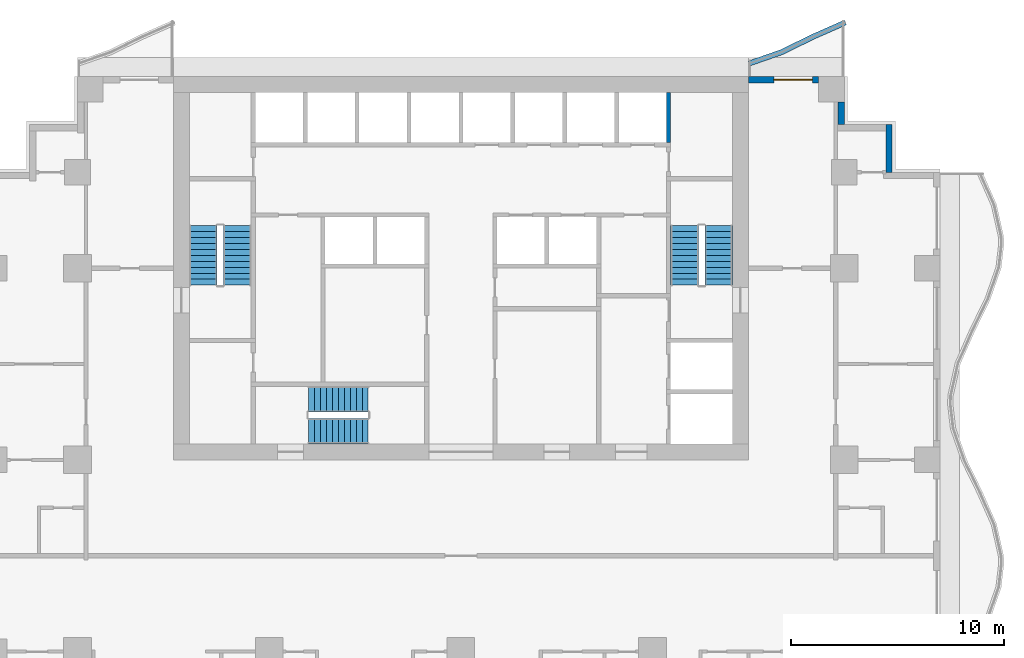
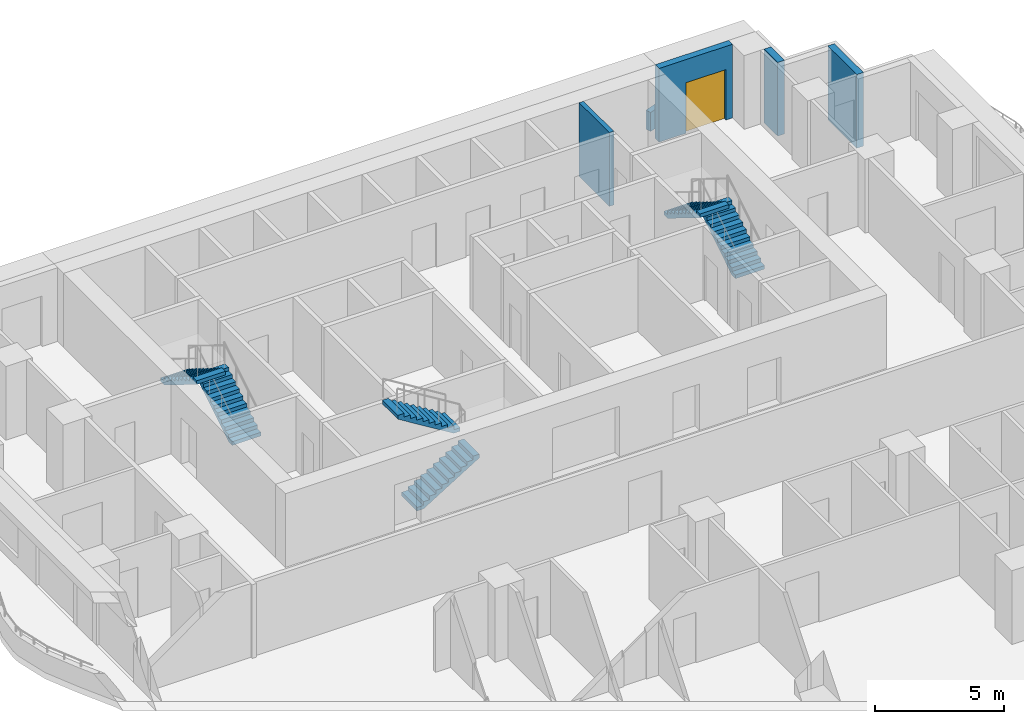
# One storey, part 6 of 10: 6 stair flights, 5 walls, 1 door, 1 opening, 3 elements without a shape of their own.
"""IFC4 building model written with IfcOpenShell, lengths in metres."""

from ifc_helpers import new_model, si_unit, direction, frame, frame_2d, origin, place, context, subcontext, project, spatial, polyline, rectangle, outline, extrude, material, layer, layer_set, type_object, element, fill, aggregate, save


model = new_model("IFC4")

# Units and contexts
model_context = context("Model", 3, precision=1e-05, world=origin(), true_north=direction((0.0, 1.0)))
body_context = subcontext(model_context, "Body", "Model", "MODEL_VIEW")
ifc_project = project(units=[si_unit("LENGTHUNIT", "METRE"), si_unit("AREAUNIT", "SQUARE_METRE"), si_unit("VOLUMEUNIT", "CUBIC_METRE"), si_unit("PLANEANGLEUNIT", "RADIAN"), si_unit("MASSUNIT", "GRAM", prefix="KILO")], contexts=[model_context])

# Site, building, storey
site_placement = place(None, origin())
site = spatial("IfcSite", under=ifc_project, at=site_placement, CompositionType="ELEMENT")
building_placement = place(site_placement, origin())
building = spatial("IfcBuilding", under=site, at=building_placement, Name="Orbiselva Terraces", CompositionType="ELEMENT")
storey_placement = place(building_placement, frame((0.0, 0.0, 125.0)))
storey = spatial("IfcBuildingStorey", under=building, at=storey_placement, Name="L31", CompositionType="ELEMENT", Elevation=125.0)

# Walls
ifc_material_1 = material(Name="Concrete C40/50", Category="concrete")
ifc_layer_1 = layer(ifc_material_1, 0.2)
ifc_layer_set_1 = layer_set([ifc_layer_1], Name="Concrete C40/50")
wall_type_1 = type_object("IfcWallType", Name="CORE-WALL-SHAFT-200", PredefinedType="PARTITIONING", material=ifc_layer_set_1)
wall_1_placement = place(storey_placement, frame((9.75, 19.4, 0.0), z_axis=(0.0, 0.0, 1.0), x_axis=(0.0, 1.0, 0.0)))
element("IfcWall", 1, at=wall_1_placement, inside=storey, type_object=wall_type_1, Name="L31 core wall 47", PredefinedType="PARTITIONING", context=body_context, shape_type="SweptSolid", body=[
    extrude(rectangle(XDim=2.35, YDim=0.2, at=frame_2d((1.175, 0.0))), origin(), (0.0, 0.0, 1.0), 3.5),
])
ifc_layer_2 = layer(ifc_material_1, 0.25)
ifc_layer_set_2 = layer_set([ifc_layer_2], Name="Concrete C40/50")
wall_type_2 = type_object("IfcWallType", Name="ENV-PLANTER-250x900", PredefinedType="USERDEFINED", material=ifc_layer_set_2)
wall_2_placement = place(storey_placement, origin())
element("IfcWall", 2, at=wall_2_placement, inside=storey, type_object=wall_type_2, Name="Balcony planter L31 NE", ObjectType="PLANTER", PredefinedType="USERDEFINED", context=body_context, shape_type="SweptSolid", body=[
    extrude(outline(polyline([(18.0, 25.148528), (16.5, 24.487721), (15.0, 23.755211), (13.5, 23.230792), (13.582506, 22.994799), (15.09644, 23.524089), (16.605286, 24.260919), (18.100788, 24.919745), (18.0, 25.148528)])), origin(), (0.0, 0.0, 1.0), 0.9),
])
ifc_material_2 = material(Name="Terracotta cladding on masonry backing", Category="masonry")
ifc_layer_3 = layer(ifc_material_2, 0.3)
ifc_layer_set_3 = layer_set([ifc_layer_3], Name="Terracotta cladding on masonry backing")
wall_type_3 = type_object("IfcWallType", Name="ENV-WALL-TERRACOTTA-300", PredefinedType="SOLIDWALL", material=ifc_layer_set_3)
wall_3_placement = place(storey_placement, frame((20.1, 20.25, 0.0), z_axis=(0.0, 0.0, 1.0), x_axis=(0.0, -1.0, 0.0)))
element("IfcWall", 3, at=wall_3_placement, inside=storey, type_object=wall_type_3, Name="Facade wall L31 STEP", PredefinedType="SOLIDWALL", context=body_context, shape_type="SweptSolid", body=[
    extrude(rectangle(XDim=2.25, YDim=0.3, at=frame_2d((1.125, 0.0))), origin(), (0.0, 0.0, 1.0), 3.5),
])
wall_4_placement = place(storey_placement, frame((17.85, 21.3, 0.0), z_axis=(0.0, 0.0, 1.0), x_axis=(0.0, -1.0, 0.0)))
element("IfcWall", 4, at=wall_4_placement, inside=storey, type_object=wall_type_3, Name="Facade wall L31 STEP", PredefinedType="SOLIDWALL", context=body_context, shape_type="SweptSolid", body=[
    extrude(rectangle(XDim=1.05, YDim=0.3, at=frame_2d((0.525, 0.0))), origin(), (0.0, 0.0, 1.0), 3.5),
])

# Wall, opening, door
wall_5_placement = place(storey_placement, frame((13.5, 22.35, 0.0), z_axis=(0.0, 0.0, 1.0), x_axis=(1.0, 0.0, 0.0)))
wall_5 = element("IfcWall", 5, at=wall_5_placement, inside=storey, type_object=wall_type_3, Name="Facade wall L31 NE", PredefinedType="SOLIDWALL", context=body_context, shape_type="SweptSolid", body=[
    extrude(rectangle(XDim=3.3, YDim=0.3, at=frame_2d((1.65, 0.0))), origin(), (0.0, 0.0, 1.0), 3.5),
])
opening_placement = place(wall_5_placement, frame((1.2, 0.0, 0.0)))
opening = element("IfcOpeningElement", 6, at=opening_placement, cuts=wall_5, Name="Opening Z3-A-E07", PredefinedType="OPENING", context=body_context, shape_type="SweptSolid", body=[
    extrude(rectangle(XDim=1.8, YDim=2.4, at=frame_2d((0.9, 1.2))), frame((0.0, 0.16, 0.0), z_axis=(0.0, -1.0, 0.0), x_axis=(1.0, 0.0, 0.0)), (0.0, 0.0, 1.0), 0.32),
])
ifc_material_3 = material(Name="Clear low-e glazing in aluminium frame", Category="aluminium")
door_type = type_object("IfcDoorType", Name="BALCONY DOOR 1800 X 2400", OperationType="DOUBLE_DOOR_SLIDING", PredefinedType="DOOR", material=ifc_material_3)
door_placement = place(opening_placement, origin())
door = element("IfcDoor", 7, at=door_placement, inside=storey, type_object=door_type, Name="Z3-A-E07", OperationType="SINGLE_SWING_LEFT", OverallHeight=2.4, OverallWidth=1.8, PredefinedType="DOOR", context=body_context, shape_type="SweptSolid", body=[
    extrude(rectangle(XDim=1.8, YDim=2.4, at=frame_2d((0.9, 1.2))), frame((0.0, 0.025, 0.0), z_axis=(0.0, -1.0, 0.0), x_axis=(1.0, 0.0, 0.0)), (0.0, 0.0, 1.0), 0.05),
])
fill(opening, door)

# Stair, stair flights
stair_type_1 = type_object("IfcStairType", Name="CORE-STAIR-1200", PredefinedType="HALF_TURN_STAIR", material=ifc_material_1)
stair_1_placement = place(storey_placement, origin())
stair_1 = element("IfcStair", 8, at=stair_1_placement, inside=storey, type_object=stair_type_1, Name="L31 Exit Stair S3", PredefinedType="HALF_TURN_STAIR")
stair_flight_type_1 = type_object("IfcStairFlightType", Name="CORE-STAIR-FLIGHT-1200", PredefinedType="STRAIGHT", material=ifc_material_1)
stair_flight_1_placement = place(storey_placement, frame((-7.15, 5.85, 0.0), z_axis=(0.0, 0.0, 1.0), x_axis=(1.0, 0.0, 0.0)))
stair_flight_1 = element("IfcStairFlight", 9, at=stair_flight_1_placement, type_object=stair_flight_type_1, Name="S3 flight 1", NumberOfRisers=11, NumberOfTreads=10, PredefinedType="STRAIGHT", RiserHeight=0.172727273, TreadLength=0.28, context=body_context, shape_type="SweptSolid", body=[
    extrude(outline(polyline([(0.0, 0.0), (0.0, 0.172727), (0.28, 0.172727), (0.28, 0.345455), (0.56, 0.345455), (0.56, 0.518182), (0.84, 0.518182), (0.84, 0.690909), (1.12, 0.690909), (1.12, 0.863636), (1.4, 0.863636), (1.4, 1.036364), (1.68, 1.036364), (1.68, 1.209091), (1.96, 1.209091), (1.96, 1.381818), (2.24, 1.381818), (2.24, 1.554545), (2.52, 1.554545), (2.52, 1.727273), (2.8, 1.727273), (2.8, 1.9), (2.8, 1.551028), (0.285702, 0.0), (0.0, 0.0)])), frame((0.0, 0.6, 0.0), z_axis=(0.0, -1.0, 0.0), x_axis=(1.0, 0.0, 0.0)), (0.0, 0.0, 1.0), 1.2),
])
stair_flight_2_placement = place(storey_placement, frame((-4.35, 7.35, 1.9), z_axis=(0.0, 0.0, 1.0), x_axis=(-1.0, 0.0, 0.0)))
stair_flight_2 = element("IfcStairFlight", 10, at=stair_flight_2_placement, type_object=stair_flight_type_1, Name="S3 flight 2", NumberOfRisers=11, NumberOfTreads=10, PredefinedType="STRAIGHT", RiserHeight=0.172727273, TreadLength=0.28, context=body_context, shape_type="SweptSolid", body=[
    extrude(outline(polyline([(0.0, 0.0), (0.0, 0.172727), (0.28, 0.172727), (0.28, 0.345455), (0.56, 0.345455), (0.56, 0.518182), (0.84, 0.518182), (0.84, 0.690909), (1.12, 0.690909), (1.12, 0.863636), (1.4, 0.863636), (1.4, 1.036364), (1.68, 1.036364), (1.68, 1.209091), (1.96, 1.209091), (1.96, 1.381818), (2.24, 1.381818), (2.24, 1.554545), (2.52, 1.554545), (2.52, 1.727273), (2.8, 1.727273), (2.8, 1.9), (2.8, 1.551028), (0.285702, 0.0), (0.0, 0.0)])), frame((0.0, 0.6, 0.0), z_axis=(0.0, -1.0, 0.0), x_axis=(1.0, 0.0, 0.0)), (0.0, 0.0, 1.0), 1.2),
])
aggregate(stair_1, [stair_flight_1, stair_flight_2])

stair_type_2 = type_object("IfcStairType", Name="CORE-STAIR-1300", PredefinedType="HALF_TURN_STAIR", material=ifc_material_1)
stair_2_placement = place(storey_placement, origin())
stair_2 = element("IfcStair", 11, at=stair_2_placement, inside=storey, type_object=stair_type_2, Name="L31 Exit Stair S1", PredefinedType="HALF_TURN_STAIR")
stair_flight_type_2 = type_object("IfcStairFlightType", Name="CORE-STAIR-FLIGHT-1300", PredefinedType="STRAIGHT", material=ifc_material_1)
stair_flight_3_placement = place(storey_placement, frame((-10.5, 12.7, 0.0), z_axis=(0.0, 0.0, 1.0), x_axis=(0.0, 1.0, 0.0)))
stair_flight_3 = element("IfcStairFlight", 12, at=stair_flight_3_placement, type_object=stair_flight_type_2, Name="S1 flight 1", NumberOfRisers=11, NumberOfTreads=10, PredefinedType="STRAIGHT", RiserHeight=0.172727273, TreadLength=0.28, context=body_context, shape_type="SweptSolid", body=[
    extrude(outline(polyline([(0.0, 0.0), (0.0, 0.172727), (0.28, 0.172727), (0.28, 0.345455), (0.56, 0.345455), (0.56, 0.518182), (0.84, 0.518182), (0.84, 0.690909), (1.12, 0.690909), (1.12, 0.863636), (1.4, 0.863636), (1.4, 1.036364), (1.68, 1.036364), (1.68, 1.209091), (1.96, 1.209091), (1.96, 1.381818), (2.24, 1.381818), (2.24, 1.554545), (2.52, 1.554545), (2.52, 1.727273), (2.8, 1.727273), (2.8, 1.9), (2.8, 1.551028), (0.285702, 0.0), (0.0, 0.0)])), frame((0.0, 0.65, 0.0), z_axis=(0.0, -1.0, 0.0), x_axis=(1.0, 0.0, 0.0)), (0.0, 0.0, 1.0), 1.3),
])
stair_flight_4_placement = place(storey_placement, frame((-12.1, 15.5, 1.9), z_axis=(0.0, 0.0, 1.0), x_axis=(0.0, -1.0, 0.0)))
stair_flight_4 = element("IfcStairFlight", 13, at=stair_flight_4_placement, type_object=stair_flight_type_2, Name="S1 flight 2", NumberOfRisers=11, NumberOfTreads=10, PredefinedType="STRAIGHT", RiserHeight=0.172727273, TreadLength=0.28, context=body_context, shape_type="SweptSolid", body=[
    extrude(outline(polyline([(0.0, 0.0), (0.0, 0.172727), (0.28, 0.172727), (0.28, 0.345455), (0.56, 0.345455), (0.56, 0.518182), (0.84, 0.518182), (0.84, 0.690909), (1.12, 0.690909), (1.12, 0.863636), (1.4, 0.863636), (1.4, 1.036364), (1.68, 1.036364), (1.68, 1.209091), (1.96, 1.209091), (1.96, 1.381818), (2.24, 1.381818), (2.24, 1.554545), (2.52, 1.554545), (2.52, 1.727273), (2.8, 1.727273), (2.8, 1.9), (2.8, 1.551028), (0.285702, 0.0), (0.0, 0.0)])), frame((0.0, 0.65, 0.0), z_axis=(0.0, -1.0, 0.0), x_axis=(1.0, 0.0, 0.0)), (0.0, 0.0, 1.0), 1.3),
])
aggregate(stair_2, [stair_flight_3, stair_flight_4])

stair_3_placement = place(storey_placement, origin())
stair_3 = element("IfcStair", 14, at=stair_3_placement, inside=storey, type_object=stair_type_2, Name="L31 Exit Stair S2", PredefinedType="HALF_TURN_STAIR")
stair_flight_5_placement = place(storey_placement, frame((12.1, 12.7, 0.0), z_axis=(0.0, 0.0, 1.0), x_axis=(0.0, 1.0, 0.0)))
stair_flight_5 = element("IfcStairFlight", 15, at=stair_flight_5_placement, type_object=stair_flight_type_2, Name="S2 flight 1", NumberOfRisers=11, NumberOfTreads=10, PredefinedType="STRAIGHT", RiserHeight=0.172727273, TreadLength=0.28, context=body_context, shape_type="SweptSolid", body=[
    extrude(outline(polyline([(0.0, 0.0), (0.0, 0.172727), (0.28, 0.172727), (0.28, 0.345455), (0.56, 0.345455), (0.56, 0.518182), (0.84, 0.518182), (0.84, 0.690909), (1.12, 0.690909), (1.12, 0.863636), (1.4, 0.863636), (1.4, 1.036364), (1.68, 1.036364), (1.68, 1.209091), (1.96, 1.209091), (1.96, 1.381818), (2.24, 1.381818), (2.24, 1.554545), (2.52, 1.554545), (2.52, 1.727273), (2.8, 1.727273), (2.8, 1.9), (2.8, 1.551028), (0.285702, 0.0), (0.0, 0.0)])), frame((0.0, 0.65, 0.0), z_axis=(0.0, -1.0, 0.0), x_axis=(1.0, 0.0, 0.0)), (0.0, 0.0, 1.0), 1.3),
])
stair_flight_6_placement = place(storey_placement, frame((10.5, 15.5, 1.9), z_axis=(0.0, 0.0, 1.0), x_axis=(0.0, -1.0, 0.0)))
stair_flight_6 = element("IfcStairFlight", 16, at=stair_flight_6_placement, type_object=stair_flight_type_2, Name="S2 flight 2", NumberOfRisers=11, NumberOfTreads=10, PredefinedType="STRAIGHT", RiserHeight=0.172727273, TreadLength=0.28, context=body_context, shape_type="SweptSolid", body=[
    extrude(outline(polyline([(0.0, 0.0), (0.0, 0.172727), (0.28, 0.172727), (0.28, 0.345455), (0.56, 0.345455), (0.56, 0.518182), (0.84, 0.518182), (0.84, 0.690909), (1.12, 0.690909), (1.12, 0.863636), (1.4, 0.863636), (1.4, 1.036364), (1.68, 1.036364), (1.68, 1.209091), (1.96, 1.209091), (1.96, 1.381818), (2.24, 1.381818), (2.24, 1.554545), (2.52, 1.554545), (2.52, 1.727273), (2.8, 1.727273), (2.8, 1.9), (2.8, 1.551028), (0.285702, 0.0), (0.0, 0.0)])), frame((0.0, 0.65, 0.0), z_axis=(0.0, -1.0, 0.0), x_axis=(1.0, 0.0, 0.0)), (0.0, 0.0, 1.0), 1.3),
])
aggregate(stair_3, [stair_flight_5, stair_flight_6])

save(model, "model.ifc")
